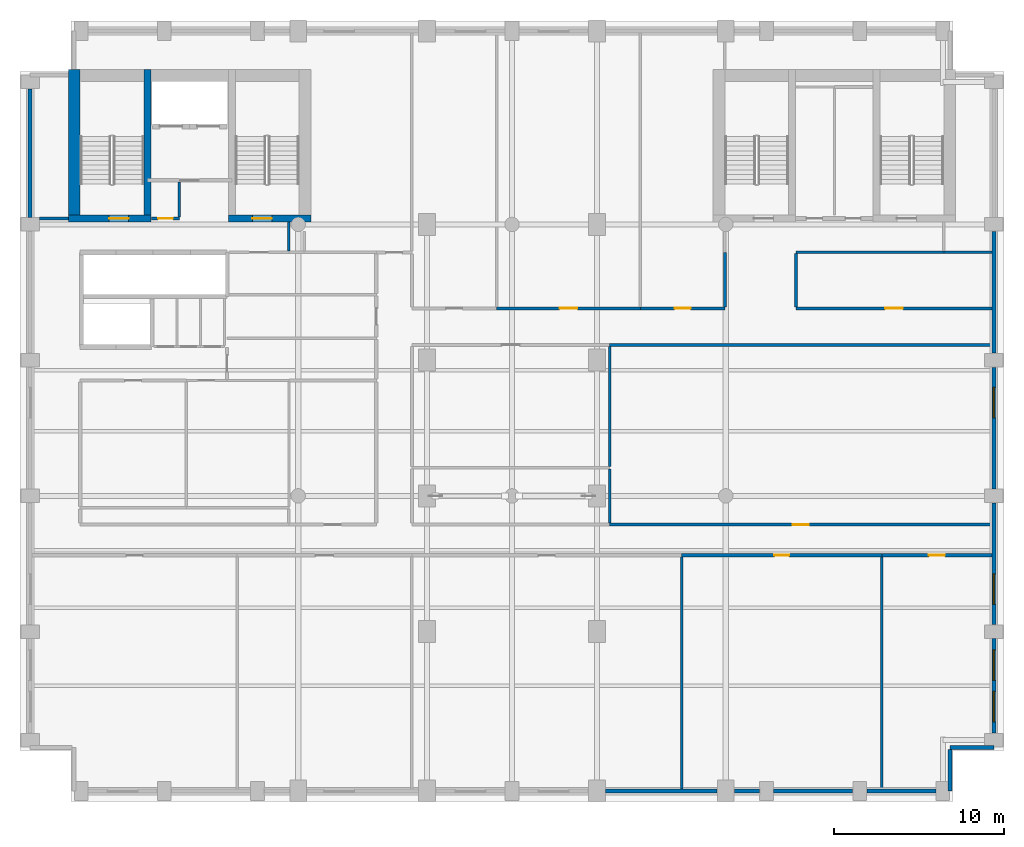
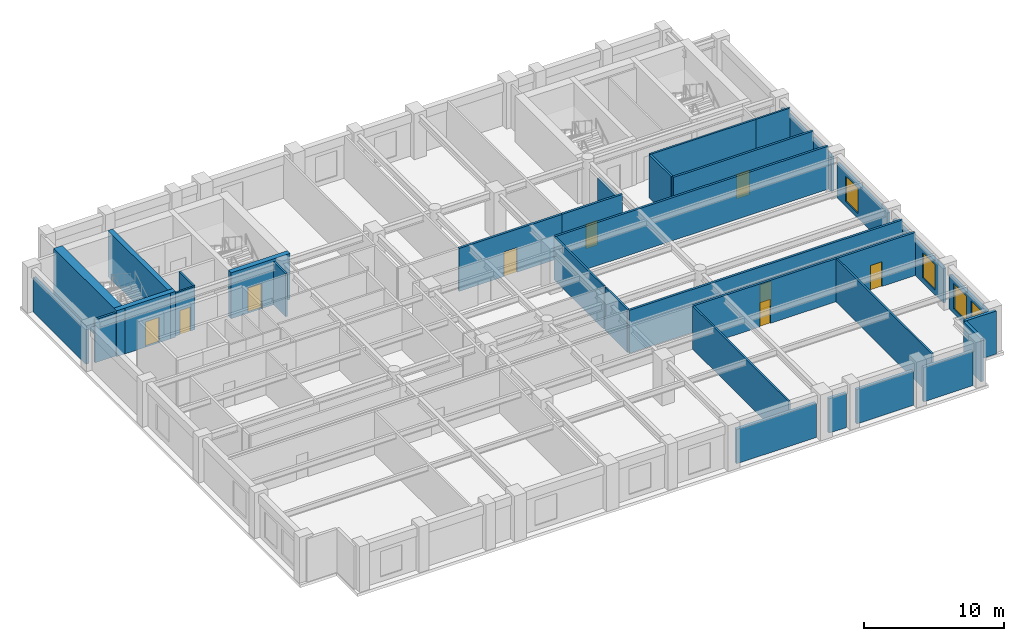
# One storey, part 6 of 10: 34 walls, 9 doors, 4 windows, 13 openings.
"""IFC4 building model written with IfcOpenShell, lengths in metres."""

from ifc_helpers import new_model, si_unit, direction, frame, frame_2d, origin, place, context, subcontext, project, spatial, rectangle, extrude, material, layer, layer_set, type_object, element, fill, save


model = new_model("IFC4")

# Units and contexts
model_context = context("Model", 3, precision=1e-05, world=origin(), true_north=direction((0.0, 1.0)))
body_context = subcontext(model_context, "Body", "Model", "MODEL_VIEW")
ifc_project = project(units=[si_unit("LENGTHUNIT", "METRE"), si_unit("AREAUNIT", "SQUARE_METRE"), si_unit("VOLUMEUNIT", "CUBIC_METRE"), si_unit("PLANEANGLEUNIT", "RADIAN"), si_unit("MASSUNIT", "GRAM", prefix="KILO")], contexts=[model_context])

# Site, building, storey
site_placement = place(None, origin())
site = spatial("IfcSite", under=ifc_project, at=site_placement, CompositionType="ELEMENT")
building_placement = place(site_placement, origin())
building = spatial("IfcBuilding", under=site, at=building_placement, Name="Sulina Concourse Tower", CompositionType="ELEMENT")
storey_placement = place(building_placement, frame((0.0, 0.0, 214.60009765625)))
storey = spatial("IfcBuildingStorey", under=building, at=storey_placement, Name="L52", CompositionType="ELEMENT", Elevation=214.60009765625)

# Walls
ifc_material_1 = material(Name="Precast concrete C50/60", Category="concrete")
ifc_layer_1 = layer(ifc_material_1, 0.239990234375)
ifc_layer_set_1 = layer_set([ifc_layer_1], Name="Precast concrete C50/60")
wall_type_1 = type_object("IfcWallType", Name="Crown Precast Masonry-Frame Facade Wall 240mm", PredefinedType="SOLIDWALL", material=ifc_layer_set_1)
wall_1_placement = place(storey_placement, frame((41.080078125, 0.60009765625, 0.0), z_axis=(0.0, 0.0, 1.0), x_axis=(-1.0, 0.0, 0.0)))
element("IfcWall", 1, at=wall_1_placement, inside=storey, type_object=wall_type_1, Name="L52 exterior precast wall S7", PredefinedType="SOLIDWALL", context=body_context, shape_type="SweptSolid", body=[
    extrude(rectangle(XDim=6.56005859375, YDim=0.239990234375, at=frame_2d((3.280029296875, 0.0))), origin(), (0.0, 0.0, 1.0), 3.0),
])
wall_2_placement = place(storey_placement, frame((43.580078125, 0.60009765625, 0.0), z_axis=(0.0, 0.0, 1.0), x_axis=(-1.0, 0.0, 0.0)))
element("IfcWall", 2, at=wall_2_placement, inside=storey, type_object=wall_type_1, Name="L52 exterior precast wall S8", PredefinedType="SOLIDWALL", context=body_context, shape_type="SweptSolid", body=[
    extrude(rectangle(XDim=1.4599609375, YDim=0.239990234375, at=frame_2d((0.72998046875, 0.0))), origin(), (0.0, 0.0, 1.0), 3.0),
])
wall_3_placement = place(storey_placement, frame((49.080078125, 0.60009765625, 0.0), z_axis=(0.0, 0.0, 1.0), x_axis=(-1.0, 0.0, 0.0)))
element("IfcWall", 3, at=wall_3_placement, inside=storey, type_object=wall_type_1, Name="L52 exterior precast wall S9", PredefinedType="SOLIDWALL", context=body_context, shape_type="SweptSolid", body=[
    extrude(rectangle(XDim=4.66015625, YDim=0.239990234375, at=frame_2d((2.330078125, 0.0))), origin(), (0.0, 0.0, 1.0), 3.0),
])
wall_4_placement = place(storey_placement, frame((53.97998046875, 0.60009765625, 0.0), z_axis=(0.0, 0.0, 1.0), x_axis=(-1.0, 0.0, 0.0)))
element("IfcWall", 4, at=wall_4_placement, inside=storey, type_object=wall_type_1, Name="L52 exterior precast wall S10", PredefinedType="SOLIDWALL", context=body_context, shape_type="SweptSolid", body=[
    extrude(rectangle(XDim=4.06005859375, YDim=0.239990234375, at=frame_2d((2.030029296875, 0.0))), origin(), (0.0, 0.0, 1.0), 3.0),
])
wall_5_placement = place(storey_placement, frame((0.60009765625, 34.419921875, 0.0), z_axis=(0.0, 0.0, 1.0), x_axis=(0.0, 1.0, 0.0)))
element("IfcWall", 5, at=wall_5_placement, inside=storey, type_object=wall_type_1, Name="L52 exterior precast wall W5", PredefinedType="SOLIDWALL", context=body_context, shape_type="SweptSolid", body=[
    extrude(rectangle(XDim=7.56005859375, YDim=0.239990234375, at=frame_2d((3.780029296875, 0.0))), origin(), (0.0, 0.0, 1.0), 3.0),
])

# Wall, openings, windows
wall_6_placement = place(storey_placement, frame((57.39990234375, 9.580078125, 0.0), z_axis=(0.0, 0.0, 1.0), x_axis=(0.0, -1.0, 0.0)))
wall_6 = element("IfcWall", 6, at=wall_6_placement, inside=storey, type_object=wall_type_1, Name="L52 exterior precast wall E1", PredefinedType="SOLIDWALL", context=body_context, shape_type="SweptSolid", body=[
    extrude(rectangle(XDim=5.56005859375, YDim=0.239990234375, at=frame_2d((2.780029296875, 0.0))), origin(), (0.0, 0.0, 1.0), 3.0),
])
opening_1_placement = place(wall_6_placement, frame((0.6533203125, 0.0, 0.419921875)))
opening_1 = element("IfcOpeningElement", 7, at=opening_1_placement, cuts=wall_6, Name="Opening WN-25", PredefinedType="OPENING", context=body_context, shape_type="SweptSolid", body=[
    extrude(rectangle(XDim=1.800048828125, YDim=2.199951171875, at=frame_2d((0.89990234375, 1.10009765625))), frame((0.0, 0.1298828125, 0.0), z_axis=(0.0, -1.0, 0.0), x_axis=(1.0, 0.0, 0.0)), (0.0, 0.0, 1.0), 0.260009765625),
])
opening_2_placement = place(wall_6_placement, frame((3.106689453125, 0.0, 0.419921875)))
opening_2 = element("IfcOpeningElement", 8, at=opening_2_placement, cuts=wall_6, Name="Opening WN-25", PredefinedType="OPENING", context=body_context, shape_type="SweptSolid", body=[
    extrude(rectangle(XDim=1.800048828125, YDim=2.199951171875, at=frame_2d((0.89990234375, 1.10009765625))), frame((0.0, 0.1298828125, 0.0), z_axis=(0.0, -1.0, 0.0), x_axis=(1.0, 0.0, 0.0)), (0.0, 0.0, 1.0), 0.260009765625),
])
ifc_material_2 = material(Name="Low-E solar double glazing in bronze aluminium", Category="aluminium")
window_type = type_object("IfcWindowType", Name="Punched Masonry-Frame Window 1800x2200", PartitioningType="SINGLE_PANEL", PredefinedType="WINDOW", material=ifc_material_2)
window_1_placement = place(opening_1_placement, origin())
window_1 = element("IfcWindow", 9, at=window_1_placement, inside=storey, type_object=window_type, Name="L52 punched window E1-1", OverallHeight=2.199951171875, OverallWidth=1.800048828125, PartitioningType="SINGLE_PANEL", PredefinedType="WINDOW", context=body_context, shape_type="SweptSolid", body=[
    extrude(rectangle(XDim=1.800048828125, YDim=2.199951171875, at=frame_2d((0.89990234375, 1.10009765625))), frame((0.0, 0.030029296875, 0.0), z_axis=(0.0, -1.0, 0.0), x_axis=(1.0, 0.0, 0.0)), (0.0, 0.0, 1.0), 0.06005859375),
])
fill(opening_1, window_1)
window_2_placement = place(opening_2_placement, origin())
window_2 = element("IfcWindow", 10, at=window_2_placement, inside=storey, type_object=window_type, Name="L52 punched window E1-2", OverallHeight=2.199951171875, OverallWidth=1.800048828125, PartitioningType="SINGLE_PANEL", PredefinedType="WINDOW", context=body_context, shape_type="SweptSolid", body=[
    extrude(rectangle(XDim=1.800048828125, YDim=2.199951171875, at=frame_2d((0.89990234375, 1.10009765625))), frame((0.0, 0.030029296875, 0.0), z_axis=(0.0, -1.0, 0.0), x_axis=(1.0, 0.0, 0.0)), (0.0, 0.0, 1.0), 0.06005859375),
])
fill(opening_2, window_2)

# Wall, opening, window
wall_7_placement = place(storey_placement, frame((57.39990234375, 17.580078125, 0.0), z_axis=(0.0, 0.0, 1.0), x_axis=(0.0, -1.0, 0.0)))
wall_7 = element("IfcWall", 11, at=wall_7_placement, inside=storey, type_object=wall_type_1, Name="L52 exterior precast wall E2", PredefinedType="SOLIDWALL", context=body_context, shape_type="SweptSolid", body=[
    extrude(rectangle(XDim=7.16015625, YDim=0.239990234375, at=frame_2d((3.580078125, 0.0))), origin(), (0.0, 0.0, 1.0), 3.0),
])
opening_3_placement = place(wall_7_placement, frame((4.17333984375, 0.0, 0.419921875)))
opening_3 = element("IfcOpeningElement", 12, at=opening_3_placement, cuts=wall_7, Name="Opening WN-25", PredefinedType="OPENING", context=body_context, shape_type="SweptSolid", body=[
    extrude(rectangle(XDim=1.800048828125, YDim=2.199951171875, at=frame_2d((0.89990234375, 1.10009765625))), frame((0.0, 0.1298828125, 0.0), z_axis=(0.0, -1.0, 0.0), x_axis=(1.0, 0.0, 0.0)), (0.0, 0.0, 1.0), 0.260009765625),
])
window_3_placement = place(opening_3_placement, origin())
window_3 = element("IfcWindow", 13, at=window_3_placement, inside=storey, type_object=window_type, Name="L52 punched window E2-1", OverallHeight=2.199951171875, OverallWidth=1.800048828125, PartitioningType="SINGLE_PANEL", PredefinedType="WINDOW", context=body_context, shape_type="SweptSolid", body=[
    extrude(rectangle(XDim=1.800048828125, YDim=2.199951171875, at=frame_2d((0.89990234375, 1.10009765625))), frame((0.0, 0.030029296875, 0.0), z_axis=(0.0, -1.0, 0.0), x_axis=(1.0, 0.0, 0.0)), (0.0, 0.0, 1.0), 0.06005859375),
])
fill(opening_3, window_3)

wall_8_placement = place(storey_placement, frame((57.39990234375, 25.580078125, 0.0), z_axis=(0.0, 0.0, 1.0), x_axis=(0.0, -1.0, 0.0)))
wall_8 = element("IfcWall", 14, at=wall_8_placement, inside=storey, type_object=wall_type_1, Name="L52 exterior precast wall E3", PredefinedType="SOLIDWALL", context=body_context, shape_type="SweptSolid", body=[
    extrude(rectangle(XDim=7.16015625, YDim=0.239990234375, at=frame_2d((3.580078125, 0.0))), origin(), (0.0, 0.0, 1.0), 3.0),
])
opening_4_placement = place(wall_8_placement, frame((1.186767578125, 0.0, 0.419921875)))
opening_4 = element("IfcOpeningElement", 15, at=opening_4_placement, cuts=wall_8, Name="Opening WN-25", PredefinedType="OPENING", context=body_context, shape_type="SweptSolid", body=[
    extrude(rectangle(XDim=1.800048828125, YDim=2.199951171875, at=frame_2d((0.89990234375, 1.10009765625))), frame((0.0, 0.1298828125, 0.0), z_axis=(0.0, -1.0, 0.0), x_axis=(1.0, 0.0, 0.0)), (0.0, 0.0, 1.0), 0.260009765625),
])
window_4_placement = place(opening_4_placement, origin())
window_4 = element("IfcWindow", 16, at=window_4_placement, inside=storey, type_object=window_type, Name="L52 punched window E3-1", OverallHeight=2.199951171875, OverallWidth=1.800048828125, PartitioningType="SINGLE_PANEL", PredefinedType="WINDOW", context=body_context, shape_type="SweptSolid", body=[
    extrude(rectangle(XDim=1.800048828125, YDim=2.199951171875, at=frame_2d((0.89990234375, 1.10009765625))), frame((0.0, 0.030029296875, 0.0), z_axis=(0.0, -1.0, 0.0), x_axis=(1.0, 0.0, 0.0)), (0.0, 0.0, 1.0), 0.06005859375),
])
fill(opening_4, window_4)

# Walls
wall_9_placement = place(storey_placement, frame((57.39990234375, 33.580078125, 0.0), z_axis=(0.0, 0.0, 1.0), x_axis=(0.0, -1.0, 0.0)))
element("IfcWall", 17, at=wall_9_placement, inside=storey, type_object=wall_type_1, Name="L52 exterior precast wall E4", PredefinedType="SOLIDWALL", context=body_context, shape_type="SweptSolid", body=[
    extrude(rectangle(XDim=7.16015625, YDim=0.239990234375, at=frame_2d((3.580078125, 0.0))), origin(), (0.0, 0.0, 1.0), 3.0),
])
wall_10_placement = place(storey_placement, frame((57.39990234375, 3.179931640625, 0.0), z_axis=(0.0, 0.0, 1.0), x_axis=(-1.0, 0.0, 0.0)))
element("IfcWall", 18, at=wall_10_placement, inside=storey, type_object=wall_type_1, Name="L52 exterior precast wall CSE1", PredefinedType="SOLIDWALL", context=body_context, shape_type="SweptSolid", body=[
    extrude(rectangle(XDim=2.579833984375, YDim=0.239990234375, at=frame_2d((1.2900390625, 0.0))), origin(), (0.0, 0.0, 1.0), 3.75),
])
wall_11_placement = place(storey_placement, frame((54.820068359375, 3.054931640625, 0.0), z_axis=(0.0, 0.0, 1.0), x_axis=(0.0, -1.0, 0.0)))
element("IfcWall", 19, at=wall_11_placement, inside=storey, type_object=wall_type_1, Name="L52 exterior precast wall CSE2", PredefinedType="SOLIDWALL", context=body_context, shape_type="SweptSolid", body=[
    extrude(rectangle(XDim=2.454833984375, YDim=0.239990234375, at=frame_2d((1.2275390625, 0.0))), origin(), (0.0, 0.0, 1.0), 3.75),
])
ifc_material_3 = material(Name="Gypsum board on steel stud", Category="steel")
ifc_layer_2 = layer(ifc_material_3, 0.14990234375)
ifc_layer_set_2 = layer_set([ifc_layer_2], Name="Gypsum board on steel stud")
wall_type_2 = type_object("IfcWallType", Name="Inter-Tenancy Acoustic Partition 150mm", PredefinedType="PARTITIONING", material=ifc_layer_set_2)
wall_12_placement = place(storey_placement, frame((45.75, 32.35009765625, 0.0), z_axis=(0.0, 0.0, 1.0), x_axis=(1.0, 0.0, 0.0)))
element("IfcWall", 20, at=wall_12_placement, inside=storey, type_object=wall_type_2, Name="L52 interior partition 032", PredefinedType="PARTITIONING", context=body_context, shape_type="SweptSolid", body=[
    extrude(rectangle(XDim=8.699951171875, YDim=0.14990234375, at=frame_2d((4.35009765625, 0.0))), origin(), (0.0, 0.0, 1.0), 3.75),
])
wall_13_placement = place(storey_placement, frame((54.449951171875, 32.35009765625, 0.0), z_axis=(0.0, 0.0, 1.0), x_axis=(1.0, 0.0, 0.0)))
element("IfcWall", 21, at=wall_13_placement, inside=storey, type_object=wall_type_2, Name="L52 interior partition 033", PredefinedType="PARTITIONING", context=body_context, shape_type="SweptSolid", body=[
    extrude(rectangle(XDim=2.830078125, YDim=0.14990234375, at=frame_2d((1.4150390625, 0.0))), origin(), (0.0, 0.0, 1.0), 3.75),
])

# Wall, opening, door
wall_14_placement = place(storey_placement, frame((7.75, 34.35009765625, 0.0), z_axis=(0.0, 0.0, 1.0), x_axis=(1.0, 0.0, 0.0)))
wall_14 = element("IfcWall", 22, at=wall_14_placement, inside=storey, type_object=wall_type_2, Name="L52 interior partition 035", PredefinedType="PARTITIONING", context=body_context, shape_type="SweptSolid", body=[
    extrude(rectangle(XDim=1.64990234375, YDim=0.14990234375, at=frame_2d((0.824951171875, 0.0))), origin(), (0.0, 0.0, 1.0), 3.75),
])
opening_5_placement = place(wall_14_placement, frame((0.385009765625, 0.0, 0.0)))
opening_5 = element("IfcOpeningElement", 23, at=opening_5_placement, cuts=wall_14, Name="Opening DR-38", PredefinedType="OPENING", context=body_context, shape_type="SweptSolid", body=[
    extrude(rectangle(XDim=0.8798828125, YDim=2.10009765625, at=frame_2d((0.43994140625, 1.050048828125))), frame((0.0, 0.0849609375, 0.0), z_axis=(0.0, -1.0, 0.0), x_axis=(1.0, 0.0, 0.0)), (0.0, 0.0, 1.0), 0.169921875),
])
ifc_material_4 = material(Name="Galvanised steel acoustic fire leaf", Category="steel")
ifc_layer_3 = layer(ifc_material_4, 0.050048828125)
ifc_layer_set_3 = layer_set([ifc_layer_3], Name="Galvanised steel acoustic fire leaf")
door_type_1 = type_object("IfcDoorType", Name="Service Riser Fire Door 880x2100", OperationType="NOTDEFINED", PredefinedType="DOOR", material=ifc_layer_set_3)
door_1_placement = place(opening_5_placement, origin())
door_1 = element("IfcDoor", 24, at=door_1_placement, inside=storey, type_object=door_type_1, Name="L52 interior door L52-CLN-N", OperationType="SINGLE_SWING_RIGHT", OverallHeight=2.10009765625, OverallWidth=0.8798828125, PredefinedType="DOOR", context=body_context, shape_type="SweptSolid", body=[
    extrude(rectangle(XDim=0.8798828125, YDim=2.10009765625, at=frame_2d((0.43994140625, 1.050048828125))), frame((0.0, 0.02490234375, 0.0), z_axis=(0.0, -1.0, 0.0), x_axis=(1.0, 0.0, 0.0)), (0.0, 0.0, 1.0), 0.050048828125),
])
fill(opening_5, door_1)

# Walls
wall_15_placement = place(storey_placement, frame((9.39990234375, 34.425048828125, 0.0), z_axis=(0.0, 0.0, 1.0), x_axis=(0.0, 1.0, 0.0)))
element("IfcWall", 25, at=wall_15_placement, inside=storey, type_object=wall_type_2, Name="L52 interior partition 041", PredefinedType="PARTITIONING", context=body_context, shape_type="SweptSolid", body=[
    extrude(rectangle(XDim=2.06494140625, YDim=0.14990234375, at=frame_2d((1.032470703125, 0.0))), origin(), (0.0, 0.0, 1.0), 3.75),
])
wall_16_placement = place(storey_placement, frame((15.85009765625, 32.425048828125, 0.0), z_axis=(0.0, 0.0, 1.0), x_axis=(0.0, 1.0, 0.0)))
element("IfcWall", 26, at=wall_16_placement, inside=storey, type_object=wall_type_2, Name="L52 interior partition 049", PredefinedType="PARTITIONING", context=body_context, shape_type="SweptSolid", body=[
    extrude(rectangle(XDim=1.724853515625, YDim=0.14990234375, at=frame_2d((0.8623046875, 0.0))), origin(), (0.0, 0.0, 1.0), 3.75),
])
wall_17_placement = place(storey_placement, frame((34.75, 16.389892578125, 0.0), z_axis=(0.0, 0.0, 1.0), x_axis=(0.0, 1.0, 0.0)))
element("IfcWall", 27, at=wall_17_placement, inside=storey, type_object=wall_type_2, Name="L52 interior partition 061", PredefinedType="PARTITIONING", context=body_context, shape_type="SweptSolid", body=[
    extrude(rectangle(XDim=3.18505859375, YDim=0.14990234375, at=frame_2d((1.592529296875, 0.0))), origin(), (0.0, 0.0, 1.0), 3.75),
])
wall_18_placement = place(storey_placement, frame((34.75, 19.72509765625, 0.0), z_axis=(0.0, 0.0, 1.0), x_axis=(0.0, 1.0, 0.0)))
element("IfcWall", 28, at=wall_18_placement, inside=storey, type_object=wall_type_2, Name="L52 interior partition 062", PredefinedType="PARTITIONING", context=body_context, shape_type="SweptSolid", body=[
    extrude(rectangle(XDim=7.0849609375, YDim=0.14990234375, at=frame_2d((3.54248046875, 0.0))), origin(), (0.0, 0.0, 1.0), 3.75),
])
for number, where, z_axis, x_axis, name in (
    (29, (39.0, 0.719970703125, 0.0), (0.0, 0.0, 1.0), (0.0, 1.0, 0.0), "L52 interior partition 064"),
    (30, (50.800048828125, 0.719970703125, 0.0), (0.0, 0.0, 1.0), (0.0, 1.0, 0.0), "L52 interior partition 070"),
):
    element("IfcWall", number, at=place(storey_placement, frame(where, z_axis=z_axis, x_axis=x_axis)), inside=storey, type_object=wall_type_2, Name=name, PredefinedType="PARTITIONING", context=body_context, shape_type="SweptSolid", body=[
        extrude(rectangle(XDim=13.68994140625, YDim=0.14990234375, at=frame_2d((6.844970703125, 0.0))), origin(), (0.0, 0.0, 1.0), 3.75),
    ])

# Wall, opening, door
ifc_material_5 = material(Name="Gypsum board on steel stud", Category="steel")
ifc_layer_4 = layer(ifc_material_5, 0.179931640625)
ifc_layer_set_4 = layer_set([ifc_layer_4], Name="Gypsum board on steel stud")
wall_type_3 = type_object("IfcWallType", Name="Protected Corridor & Riser Partition 180mm", PredefinedType="PARTITIONING", material=ifc_layer_set_4)
wall_19_placement = place(storey_placement, frame((39.0, 14.5, 0.0), z_axis=(0.0, 0.0, 1.0), x_axis=(1.0, 0.0, 0.0)))
wall_19 = element("IfcWall", 31, at=wall_19_placement, inside=storey, type_object=wall_type_3, Name="L52 interior partition 004", PredefinedType="PARTITIONING", context=body_context, shape_type="SweptSolid", body=[
    extrude(rectangle(XDim=11.800048828125, YDim=0.179931640625, at=frame_2d((5.89990234375, 0.0))), origin(), (0.0, 0.0, 1.0), 3.75),
])
opening_6_placement = place(wall_19_placement, frame((5.4599609375, 0.0, 0.0)))
opening_6 = element("IfcOpeningElement", 32, at=opening_6_placement, cuts=wall_19, Name="Opening DR-38", PredefinedType="OPENING", context=body_context, shape_type="SweptSolid", body=[
    extrude(rectangle(XDim=0.8798828125, YDim=2.10009765625, at=frame_2d((0.43994140625, 1.050048828125))), frame((0.0, 0.099853515625, 0.0), z_axis=(0.0, -1.0, 0.0), x_axis=(1.0, 0.0, 0.0)), (0.0, 0.0, 1.0), 0.199951171875),
])
door_2_placement = place(opening_6_placement, origin())
door_2 = element("IfcDoor", 33, at=door_2_placement, inside=storey, type_object=door_type_1, Name="L52 interior door L52-S04", OperationType="SINGLE_SWING_RIGHT", OverallHeight=2.10009765625, OverallWidth=0.8798828125, PredefinedType="DOOR", context=body_context, shape_type="SweptSolid", body=[
    extrude(rectangle(XDim=0.8798828125, YDim=2.10009765625, at=frame_2d((0.43994140625, 1.050048828125))), frame((0.0, 0.02490234375, 0.0), z_axis=(0.0, -1.0, 0.0), x_axis=(1.0, 0.0, 0.0)), (0.0, 0.0, 1.0), 0.050048828125),
])
fill(opening_6, door_2)

wall_20_placement = place(storey_placement, frame((50.800048828125, 14.5, 0.0), z_axis=(0.0, 0.0, 1.0), x_axis=(1.0, 0.0, 0.0)))
wall_20 = element("IfcWall", 34, at=wall_20_placement, inside=storey, type_object=wall_type_3, Name="L52 interior partition 005", PredefinedType="PARTITIONING", context=body_context, shape_type="SweptSolid", body=[
    extrude(rectangle(XDim=6.47998046875, YDim=0.179931640625, at=frame_2d((3.239990234375, 0.0))), origin(), (0.0, 0.0, 1.0), 3.75),
])
opening_7_placement = place(wall_20_placement, frame((2.764892578125, 0.0, 0.0)))
opening_7 = element("IfcOpeningElement", 35, at=opening_7_placement, cuts=wall_20, Name="Opening DR-19", PredefinedType="OPENING", context=body_context, shape_type="SweptSolid", body=[
    extrude(rectangle(XDim=0.949951171875, YDim=2.14990234375, at=frame_2d((0.47509765625, 1.074951171875))), frame((0.0, 0.099853515625, 0.0), z_axis=(0.0, -1.0, 0.0), x_axis=(1.0, 0.0, 0.0)), (0.0, 0.0, 1.0), 0.199951171875),
])
ifc_material_6 = material(Name="Oak-veneered acoustic timber leaf", Category="wood")
ifc_layer_5 = layer(ifc_material_6, 0.050048828125)
ifc_layer_set_5 = layer_set([ifc_layer_5], Name="Oak-veneered acoustic timber leaf")
door_type_2 = type_object("IfcDoorType", Name="Cellular Office & Meeting Door 950x2150", OperationType="NOTDEFINED", PredefinedType="DOOR", material=ifc_layer_set_5)
door_3_placement = place(opening_7_placement, origin())
door_3 = element("IfcDoor", 36, at=door_3_placement, inside=storey, type_object=door_type_2, Name="L52 interior door L52-S05", OperationType="SINGLE_SWING_LEFT", OverallHeight=2.14990234375, OverallWidth=0.949951171875, PredefinedType="DOOR", context=body_context, shape_type="SweptSolid", body=[
    extrude(rectangle(XDim=0.949951171875, YDim=2.14990234375, at=frame_2d((0.47509765625, 1.074951171875))), frame((0.0, 0.02490234375, 0.0), z_axis=(0.0, -1.0, 0.0), x_axis=(1.0, 0.0, 0.0)), (0.0, 0.0, 1.0), 0.050048828125),
])
fill(opening_7, door_3)

wall_21_placement = place(storey_placement, frame((34.75, 16.300048828125, 0.0), z_axis=(0.0, 0.0, 1.0), x_axis=(1.0, 0.0, 0.0)))
wall_21 = element("IfcWall", 37, at=wall_21_placement, inside=storey, type_object=wall_type_3, Name="L52 interior partition 009", PredefinedType="PARTITIONING", context=body_context, shape_type="SweptSolid", body=[
    extrude(rectangle(XDim=22.530029296875, YDim=0.179931640625, at=frame_2d((11.26513671875, 0.0))), origin(), (0.0, 0.0, 1.0), 3.75),
])
opening_8_placement = place(wall_21_placement, frame((10.7900390625, 0.0, 0.0)))
opening_8 = element("IfcOpeningElement", 38, at=opening_8_placement, cuts=wall_21, Name="Opening DR-19", PredefinedType="OPENING", context=body_context, shape_type="SweptSolid", body=[
    extrude(rectangle(XDim=0.949951171875, YDim=2.14990234375, at=frame_2d((0.47509765625, 1.074951171875))), frame((0.0, 0.099853515625, 0.0), z_axis=(0.0, -1.0, 0.0), x_axis=(1.0, 0.0, 0.0)), (0.0, 0.0, 1.0), 0.199951171875),
])
door_4_placement = place(opening_8_placement, origin())
door_4 = element("IfcDoor", 39, at=door_4_placement, inside=storey, type_object=door_type_2, Name="L52 interior door L52-UBT-ERM", OperationType="SINGLE_SWING_LEFT", OverallHeight=2.14990234375, OverallWidth=0.949951171875, PredefinedType="DOOR", context=body_context, shape_type="SweptSolid", body=[
    extrude(rectangle(XDim=0.949951171875, YDim=2.14990234375, at=frame_2d((0.47509765625, 1.074951171875))), frame((0.0, 0.02490234375, 0.0), z_axis=(0.0, -1.0, 0.0), x_axis=(1.0, 0.0, 0.0)), (0.0, 0.0, 1.0), 0.050048828125),
])
fill(opening_8, door_4)

# Wall
wall_22_placement = place(storey_placement, frame((34.75, 26.89990234375, 0.0), z_axis=(0.0, 0.0, 1.0), x_axis=(1.0, 0.0, 0.0)))
element("IfcWall", 40, at=wall_22_placement, inside=storey, type_object=wall_type_3, Name="L52 interior partition 021", PredefinedType="PARTITIONING", context=body_context, shape_type="SweptSolid", body=[
    extrude(rectangle(XDim=22.530029296875, YDim=0.179931640625, at=frame_2d((11.26513671875, 0.0))), origin(), (0.0, 0.0, 1.0), 3.75),
])

# Wall, opening, door
wall_23_placement = place(storey_placement, frame((28.090087890625, 29.050048828125, 0.0), z_axis=(0.0, 0.0, 1.0), x_axis=(1.0, 0.0, 0.0)))
wall_23 = element("IfcWall", 41, at=wall_23_placement, inside=storey, type_object=wall_type_3, Name="L52 interior partition 024", PredefinedType="PARTITIONING", context=body_context, shape_type="SweptSolid", body=[
    extrude(rectangle(XDim=8.469970703125, YDim=0.179931640625, at=frame_2d((4.23486328125, 0.0))), origin(), (0.0, 0.0, 1.0), 3.75),
])
opening_9_placement = place(wall_23_placement, frame((3.7099609375, 0.0, 0.0)))
opening_9 = element("IfcOpeningElement", 42, at=opening_9_placement, cuts=wall_23, Name="Opening DR-37", PredefinedType="OPENING", context=body_context, shape_type="SweptSolid", body=[
    extrude(rectangle(XDim=1.050048828125, YDim=2.14990234375, at=frame_2d((0.52490234375, 1.074951171875))), frame((0.0, 0.099853515625, 0.0), z_axis=(0.0, -1.0, 0.0), x_axis=(1.0, 0.0, 0.0)), (0.0, 0.0, 1.0), 0.199951171875),
])
ifc_material_7 = material(Name="Oak-veneered fire door leaf")
ifc_layer_6 = layer(ifc_material_7, 0.050048828125)
ifc_layer_set_6 = layer_set([ifc_layer_6], Name="Oak-veneered fire door leaf")
door_type_3 = type_object("IfcDoorType", Name="Tenant Suite Entrance Fire Door 1050x2150", OperationType="NOTDEFINED", PredefinedType="DOOR", material=ifc_layer_set_6)
door_5_placement = place(opening_9_placement, origin())
door_5 = element("IfcDoor", 43, at=door_5_placement, inside=storey, type_object=door_type_3, Name="L52 interior door L52-NC2", OperationType="SINGLE_SWING_LEFT", OverallHeight=2.14990234375, OverallWidth=1.050048828125, PredefinedType="DOOR", context=body_context, shape_type="SweptSolid", body=[
    extrude(rectangle(XDim=1.050048828125, YDim=2.14990234375, at=frame_2d((0.52490234375, 1.074951171875))), frame((0.0, 0.02490234375, 0.0), z_axis=(0.0, -1.0, 0.0), x_axis=(1.0, 0.0, 0.0)), (0.0, 0.0, 1.0), 0.050048828125),
])
fill(opening_9, door_5)

wall_24_placement = place(storey_placement, frame((36.56005859375, 29.050048828125, 0.0), z_axis=(0.0, 0.0, 1.0), x_axis=(1.0, 0.0, 0.0)))
wall_24 = element("IfcWall", 44, at=wall_24_placement, inside=storey, type_object=wall_type_3, Name="L52 interior partition 025", PredefinedType="PARTITIONING", context=body_context, shape_type="SweptSolid", body=[
    extrude(rectangle(XDim=4.989990234375, YDim=0.179931640625, at=frame_2d((2.4951171875, 0.0))), origin(), (0.0, 0.0, 1.0), 3.75),
])
opening_10_placement = place(wall_24_placement, frame((2.02001953125, 0.0, 0.0)))
opening_10 = element("IfcOpeningElement", 45, at=opening_10_placement, cuts=wall_24, Name="Opening DR-19", PredefinedType="OPENING", context=body_context, shape_type="SweptSolid", body=[
    extrude(rectangle(XDim=0.949951171875, YDim=2.14990234375, at=frame_2d((0.47509765625, 1.074951171875))), frame((0.0, 0.099853515625, 0.0), z_axis=(0.0, -1.0, 0.0), x_axis=(1.0, 0.0, 0.0)), (0.0, 0.0, 1.0), 0.199951171875),
])
door_6_placement = place(opening_10_placement, origin())
door_6 = element("IfcDoor", 46, at=door_6_placement, inside=storey, type_object=door_type_2, Name="L52 interior door L52-NC3", OperationType="SINGLE_SWING_RIGHT", OverallHeight=2.14990234375, OverallWidth=0.949951171875, PredefinedType="DOOR", context=body_context, shape_type="SweptSolid", body=[
    extrude(rectangle(XDim=0.949951171875, YDim=2.14990234375, at=frame_2d((0.47509765625, 1.074951171875))), frame((0.0, 0.02490234375, 0.0), z_axis=(0.0, -1.0, 0.0), x_axis=(1.0, 0.0, 0.0)), (0.0, 0.0, 1.0), 0.050048828125),
])
fill(opening_10, door_6)

wall_25_placement = place(storey_placement, frame((45.75, 29.050048828125, 0.0), z_axis=(0.0, 0.0, 1.0), x_axis=(1.0, 0.0, 0.0)))
wall_25 = element("IfcWall", 47, at=wall_25_placement, inside=storey, type_object=wall_type_3, Name="L52 interior partition 026", PredefinedType="PARTITIONING", context=body_context, shape_type="SweptSolid", body=[
    extrude(rectangle(XDim=11.530029296875, YDim=0.179931640625, at=frame_2d((5.76513671875, 0.0))), origin(), (0.0, 0.0, 1.0), 3.75),
])
opening_11_placement = place(wall_25_placement, frame((5.239990234375, 0.0, 0.0)))
opening_11 = element("IfcOpeningElement", 48, at=opening_11_placement, cuts=wall_25, Name="Opening DR-37", PredefinedType="OPENING", context=body_context, shape_type="SweptSolid", body=[
    extrude(rectangle(XDim=1.050048828125, YDim=2.14990234375, at=frame_2d((0.52490234375, 1.074951171875))), frame((0.0, 0.099853515625, 0.0), z_axis=(0.0, -1.0, 0.0), x_axis=(1.0, 0.0, 0.0)), (0.0, 0.0, 1.0), 0.199951171875),
])
door_7_placement = place(opening_11_placement, origin())
door_7 = element("IfcDoor", 49, at=door_7_placement, inside=storey, type_object=door_type_3, Name="L52 interior door L52-NE1", OperationType="SINGLE_SWING_LEFT", OverallHeight=2.14990234375, OverallWidth=1.050048828125, PredefinedType="DOOR", context=body_context, shape_type="SweptSolid", body=[
    extrude(rectangle(XDim=1.050048828125, YDim=2.14990234375, at=frame_2d((0.52490234375, 1.074951171875))), frame((0.0, 0.02490234375, 0.0), z_axis=(0.0, -1.0, 0.0), x_axis=(1.0, 0.0, 0.0)), (0.0, 0.0, 1.0), 0.050048828125),
])
fill(opening_11, door_7)

# Walls
wall_26_placement = place(storey_placement, frame((1.14990234375, 34.35009765625, 0.0), z_axis=(0.0, 0.0, 1.0), x_axis=(1.0, 0.0, 0.0)))
element("IfcWall", 50, at=wall_26_placement, inside=storey, type_object=wall_type_3, Name="L52 interior partition 034", PredefinedType="PARTITIONING", context=body_context, shape_type="SweptSolid", body=[
    extrude(rectangle(XDim=1.7001953125, YDim=0.179931640625, at=frame_2d((0.85009765625, 0.0))), origin(), (0.0, 0.0, 1.0), 3.75),
])
wall_27_placement = place(storey_placement, frame((41.550048828125, 29.139892578125, 0.0), z_axis=(0.0, 0.0, 1.0), x_axis=(0.0, 1.0, 0.0)))
element("IfcWall", 51, at=wall_27_placement, inside=storey, type_object=wall_type_3, Name="L52 interior partition 065", PredefinedType="PARTITIONING", context=body_context, shape_type="SweptSolid", body=[
    extrude(rectangle(XDim=3.210205078125, YDim=0.179931640625, at=frame_2d((1.60498046875, 0.0))), origin(), (0.0, 0.0, 1.0), 3.14501953125),
])
wall_28_placement = place(storey_placement, frame((45.75, 29.139892578125, 0.0), z_axis=(0.0, 0.0, 1.0), x_axis=(0.0, 1.0, 0.0)))
element("IfcWall", 52, at=wall_28_placement, inside=storey, type_object=wall_type_3, Name="L52 interior partition 068", PredefinedType="PARTITIONING", context=body_context, shape_type="SweptSolid", body=[
    extrude(rectangle(XDim=3.135009765625, YDim=0.179931640625, at=frame_2d((1.5673828125, 0.0))), origin(), (0.0, 0.0, 1.0), 3.75),
])

# Wall, opening, door
ifc_material_8 = material(Name="Concrete C60/75", Category="concrete")
ifc_layer_7 = layer(ifc_material_8, 0.39990234375)
ifc_layer_set_7 = layer_set([ifc_layer_7], Name="Concrete C60/75")
wall_type_4 = type_object("IfcWallType", Name="Protected Stair Core Shear Wall 400mm", PredefinedType="SHEAR", material=ifc_layer_set_7)
wall_29_placement = place(storey_placement, frame((2.85009765625, 34.35009765625, 0.0), z_axis=(0.0, 0.0, 1.0), x_axis=(1.0, 0.0, 0.0)))
wall_29 = element("IfcWall", 53, at=wall_29_placement, inside=storey, type_object=wall_type_4, Name="L52 west core shear wall CW-WS1", PredefinedType="SHEAR", context=body_context, shape_type="SweptSolid", body=[
    extrude(rectangle(XDim=4.85986328125, YDim=0.39990234375, at=frame_2d((2.429931640625, 0.0))), origin(), (0.0, 0.0, 1.0), 4.0),
])
opening_12_placement = place(wall_29_placement, frame((2.39990234375, 0.0, 0.0)))
opening_12 = element("IfcOpeningElement", 54, at=opening_12_placement, cuts=wall_29, Name="Opening DR-60", PredefinedType="OPENING", context=body_context, shape_type="SweptSolid", body=[
    extrude(rectangle(XDim=1.14990234375, YDim=2.199951171875, at=frame_2d((0.574951171875, 1.10009765625))), frame((0.0, 0.2099609375, 0.0), z_axis=(0.0, -1.0, 0.0), x_axis=(1.0, 0.0, 0.0)), (0.0, 0.0, 1.0), 0.419921875),
])
ifc_material_9 = material(Name="Galvanised steel acoustic fire leaf", Category="steel")
ifc_layer_8 = layer(ifc_material_9, 0.054931640625)
ifc_layer_set_8 = layer_set([ifc_layer_8], Name="Galvanised steel acoustic fire leaf")
door_type_4 = type_object("IfcDoorType", Name="Protected Exit Stair Fire Door 1150x2200", OperationType="NOTDEFINED", PredefinedType="DOOR", material=ifc_layer_set_8)
door_8_placement = place(opening_12_placement, origin())
door_8 = element("IfcDoor", 55, at=door_8_placement, inside=storey, type_object=door_type_4, Name="L52 stair ST-1 lobby fire door", OperationType="SINGLE_SWING_LEFT", OverallHeight=2.199951171875, OverallWidth=1.14990234375, PredefinedType="DOOR", context=body_context, shape_type="SweptSolid", body=[
    extrude(rectangle(XDim=1.14990234375, YDim=2.199951171875, at=frame_2d((0.574951171875, 1.10009765625))), frame((0.0, 0.02490234375, 0.0), z_axis=(0.0, -1.0, 0.0), x_axis=(1.0, 0.0, 0.0)), (0.0, 0.0, 1.0), 0.050048828125),
])
fill(opening_12, door_8)

wall_30_placement = place(storey_placement, frame((12.2900390625, 34.35009765625, 0.0), z_axis=(0.0, 0.0, 1.0), x_axis=(1.0, 0.0, 0.0)))
wall_30 = element("IfcWall", 56, at=wall_30_placement, inside=storey, type_object=wall_type_4, Name="L52 west core shear wall CW-WS2", PredefinedType="SHEAR", context=body_context, shape_type="SweptSolid", body=[
    extrude(rectangle(XDim=4.85986328125, YDim=0.39990234375, at=frame_2d((2.429931640625, 0.0))), origin(), (0.0, 0.0, 1.0), 4.0),
])
opening_13_placement = place(wall_30_placement, frame((1.39990234375, 0.0, 0.0)))
opening_13 = element("IfcOpeningElement", 57, at=opening_13_placement, cuts=wall_30, Name="Opening DR-60", PredefinedType="OPENING", context=body_context, shape_type="SweptSolid", body=[
    extrude(rectangle(XDim=1.14990234375, YDim=2.199951171875, at=frame_2d((0.574951171875, 1.10009765625))), frame((0.0, 0.2099609375, 0.0), z_axis=(0.0, -1.0, 0.0), x_axis=(1.0, 0.0, 0.0)), (0.0, 0.0, 1.0), 0.419921875),
])
door_9_placement = place(opening_13_placement, origin())
door_9 = element("IfcDoor", 58, at=door_9_placement, inside=storey, type_object=door_type_4, Name="L52 stair ST-2 lobby fire door", OperationType="SINGLE_SWING_RIGHT", OverallHeight=2.199951171875, OverallWidth=1.14990234375, PredefinedType="DOOR", context=body_context, shape_type="SweptSolid", body=[
    extrude(rectangle(XDim=1.14990234375, YDim=2.199951171875, at=frame_2d((0.574951171875, 1.10009765625))), frame((0.0, 0.02490234375, 0.0), z_axis=(0.0, -1.0, 0.0), x_axis=(1.0, 0.0, 0.0)), (0.0, 0.0, 1.0), 0.050048828125),
])
fill(opening_13, door_9)

# Walls
wall_31_placement = place(storey_placement, frame((7.510009765625, 34.14990234375, 0.0), z_axis=(0.0, 0.0, 1.0), x_axis=(0.0, 1.0, 0.0)))
element("IfcWall", 59, at=wall_31_placement, inside=storey, type_object=wall_type_4, Name="L52 west core shear wall SW-ST1", PredefinedType="SHEAR", context=body_context, shape_type="SweptSolid", body=[
    extrude(rectangle(XDim=8.97998046875, YDim=0.39990234375, at=frame_2d((4.489990234375, 0.0))), origin(), (0.0, 0.0, 1.0), 4.0),
])
ifc_material_10 = material(Name="Concrete C60/75", Category="concrete")
ifc_layer_9 = layer(ifc_material_10, 0.699951171875)
ifc_layer_set_9 = layer_set([ifc_layer_9], Name="Concrete C60/75")
wall_type_5 = type_object("IfcWallType", Name="Rear Core Shear Wall 700mm", PredefinedType="SHEAR", material=ifc_layer_set_9)
wall_32_placement = place(storey_placement, frame((3.199951171875, 34.14990234375, 0.0), z_axis=(0.0, 0.0, 1.0), x_axis=(0.0, 1.0, 0.0)))
element("IfcWall", 60, at=wall_32_placement, inside=storey, type_object=wall_type_5, Name="L52 west core shear wall CW-WW", PredefinedType="SHEAR", context=body_context, shape_type="SweptSolid", body=[
    extrude(rectangle(XDim=8.97998046875, YDim=0.699951171875, at=frame_2d((4.489990234375, 0.0))), origin(), (0.0, 0.0, 1.0), 4.0),
])

save(model, "model.ifc")
